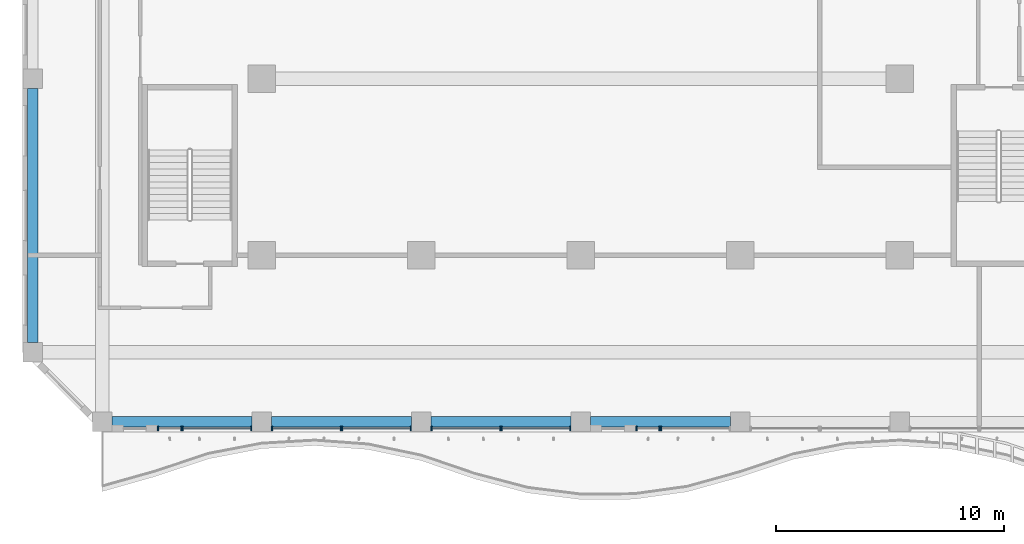
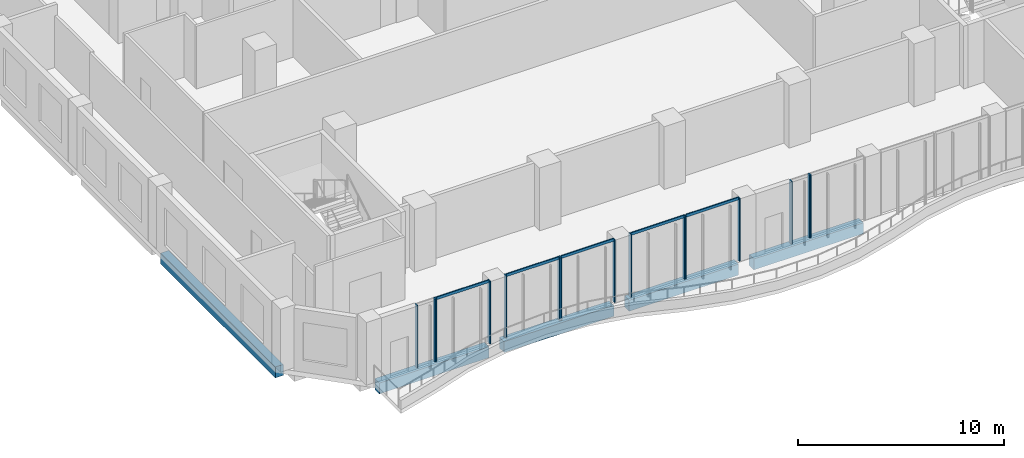
# One storey, part 2 of 27: 20 members, 5 beams, 8 elements without a shape of their own.
"""IFC4 building model written with IfcOpenShell, lengths in metres."""

from ifc_helpers import new_model, si_unit, direction, frame, origin, origin_2d, place, context, subcontext, project, spatial, rectangle, extrude, source, transform, mapped, material, material_profile, profile_set, type_object, element, aggregate, save


model = new_model("IFC4")

# Units and contexts
model_context = context("Model", 3, precision=1e-05, world=origin(), true_north=direction((0.0, 1.0)))
body_context = subcontext(model_context, "Body", "Model", "MODEL_VIEW")
ifc_project = project(units=[si_unit("LENGTHUNIT", "METRE"), si_unit("AREAUNIT", "SQUARE_METRE"), si_unit("VOLUMEUNIT", "CUBIC_METRE"), si_unit("PLANEANGLEUNIT", "RADIAN"), si_unit("MASSUNIT", "GRAM", prefix="KILO")], contexts=[model_context])

# Site, building, storey
site_placement = place(None, origin())
site = spatial("IfcSite", under=ifc_project, at=site_placement, CompositionType="ELEMENT")
building_placement = place(site_placement, origin())
building = spatial("IfcBuilding", under=site, at=building_placement, Name="Kilnfold Tower and Market Hall", CompositionType="ELEMENT")
storey_placement = place(building_placement, frame((0.0, 0.0, 116.60009765625)))
storey = spatial("IfcBuildingStorey", under=building, at=storey_placement, Name="L27", CompositionType="ELEMENT", Elevation=116.60009765625)

# Beams
ifc_material_1 = material(Name="Concrete C45", Category="concrete")
ifc_material_profile_1 = material_profile(ifc_material_1, rectangle(XDim=0.449951171875, YDim=0.64990234375, at=origin_2d()), Name="RC 450x650")
ifc_profile_set_1 = profile_set([ifc_material_profile_1], Name="Concrete C45")
beam_type = type_object("IfcBeamType", Name="EDGE BEAM 450X650 C45", PredefinedType="BEAM", material=ifc_profile_set_1)
shared_shape_1 = source(origin(), body_context, "Body", "SweptSolid", [
    extrude(rectangle(XDim=0.449951171875, YDim=0.64990234375, at=origin_2d()), origin(), (0.0, 0.0, 1.0), 6.14990234375),
])
for number, where, z_axis, x_axis, name in (
    (1, (-19.074951171875, -22.550048828125, -0.60498046875), (1.0, 0.0, 0.0), (0.0, 1.0, 0.0), "Beam EB650-B3.52"),
    (2, (-12.074951171875, -22.550048828125, -0.60498046875), (1.0, 0.0, 0.0), (0.0, 1.0, 0.0), "Beam EB650-B3.53"),
    (3, (-5.074951171875, -22.550048828125, -0.60498046875), (1.0, 0.0, 0.0), (0.0, 1.0, 0.0), "Beam EB650-B3.54"),
    (4, (1.925048828125, -22.550048828125, -0.60498046875), (1.0, 0.0, 0.0), (0.0, 1.0, 0.0), "Beam EB650-B3.55"),
):
    element("IfcBeam", number, at=place(storey_placement, frame(where, z_axis=z_axis, x_axis=x_axis)), inside=storey, type_object=beam_type, Name=name, PredefinedType="BEAM", context=body_context, shape_type="MappedRepresentation", body=[
        mapped(shared_shape_1, transform((0.0, 0.0, 0.0))),
    ])
shared_shape_2 = source(origin(), body_context, "Body", "SweptSolid", [
    extrude(rectangle(XDim=0.449951171875, YDim=0.64990234375, at=origin_2d()), origin(), (0.0, 0.0, 1.0), 11.14990234375),
])
beam_placement = place(storey_placement, frame((-22.550048828125, -19.074951171875, -0.60498046875), z_axis=(0.0, 1.0, 0.0), x_axis=(-1.0, 0.0, 0.0)))
element("IfcBeam", 5, at=beam_placement, inside=storey, type_object=beam_type, Name="Beam EB650-B3.74", PredefinedType="BEAM", context=body_context, shape_type="MappedRepresentation", body=[
    mapped(shared_shape_2, transform((0.0, 0.0, 0.0))),
])

# Curtain wall, members
ifc_material_2 = material(Name="Aluminium and double glazing", Category="aluminium")
curtain_wall_type = type_object("IfcCurtainWallType", Name="CW OF2 VALLEY GLAZING", PredefinedType="NOTDEFINED", material=ifc_material_2)
curtain_wall_1_placement = place(storey_placement, origin())
curtain_wall_1 = element("IfcCurtainWall", 6, at=curtain_wall_1_placement, inside=storey, type_object=curtain_wall_type, Name="Curtain wall CW2 L27 S", PredefinedType="NOTDEFINED")
ifc_material_3 = material(Name="Aluminium", Category="aluminium")
ifc_material_profile_2 = material_profile(ifc_material_3, rectangle(XDim=0.06005859375, YDim=0.199951171875, at=origin_2d()), Name="MULLION 60x200")
ifc_profile_set_2 = profile_set([ifc_material_profile_2], Name="Aluminium")
member_type_1 = type_object("IfcMemberType", Name="MULLION 60X200", PredefinedType="MULLION", material=ifc_profile_set_2)
shared_shape_3 = source(origin(), body_context, "Body", "SweptSolid", [
    extrude(rectangle(XDim=0.06005859375, YDim=0.199951171875, at=origin_2d()), origin(), (0.0, 0.0, 1.0), 3.719970703125),
])
member_1_placement = place(storey_placement, frame((-17.044921875, -22.85009765625, 0.0), z_axis=(0.0, 0.0, 1.0), x_axis=(1.0, 0.0, 0.0)))
member_1 = element("IfcMember", 7, at=member_1_placement, type_object=member_type_1, Name="CW2 mullion 1", PredefinedType="MULLION", context=body_context, shape_type="MappedRepresentation", body=[
    mapped(shared_shape_3, transform((0.0, 0.0, 0.0))),
])
member_2_placement = place(storey_placement, frame((-16.030029296875, -22.85009765625, 0.0), z_axis=(0.0, 0.0, 1.0), x_axis=(1.0, 0.0, 0.0)))
member_2 = element("IfcMember", 8, at=member_2_placement, type_object=member_type_1, Name="CW2 mullion 2", PredefinedType="MULLION", context=body_context, shape_type="MappedRepresentation", body=[
    mapped(shared_shape_3, transform((0.0, 0.0, 0.0))),
])
aggregate(curtain_wall_1, [member_1, member_2])

curtain_wall_2_placement = place(storey_placement, origin())
curtain_wall_2 = element("IfcCurtainWall", 9, at=curtain_wall_2_placement, inside=storey, type_object=curtain_wall_type, Name="Curtain wall CW2 L27 S", PredefinedType="NOTDEFINED")
member_3_placement = place(storey_placement, frame((-15.969970703125, -22.85009765625, 0.0), z_axis=(0.0, 0.0, 1.0), x_axis=(1.0, 0.0, 0.0)))
member_3 = element("IfcMember", 10, at=member_3_placement, type_object=member_type_1, Name="CW2 mullion 1", PredefinedType="MULLION", context=body_context, shape_type="MappedRepresentation", body=[
    mapped(shared_shape_3, transform((0.0, 0.0, 0.0))),
])
member_4_placement = place(storey_placement, frame((-12.955078125, -22.85009765625, 0.0), z_axis=(0.0, 0.0, 1.0), x_axis=(1.0, 0.0, 0.0)))
member_4 = element("IfcMember", 11, at=member_4_placement, type_object=member_type_1, Name="CW2 mullion 2", PredefinedType="MULLION", context=body_context, shape_type="MappedRepresentation", body=[
    mapped(shared_shape_3, transform((0.0, 0.0, 0.0))),
])

curtain_wall_3_placement = place(storey_placement, origin())
curtain_wall_3 = element("IfcCurtainWall", 12, at=curtain_wall_3_placement, inside=storey, type_object=curtain_wall_type, Name="Curtain wall CW2 L27 S", PredefinedType="NOTDEFINED")
member_5_placement = place(storey_placement, frame((-12.044921875, -22.85009765625, 0.0), z_axis=(0.0, 0.0, 1.0), x_axis=(1.0, 0.0, 0.0)))
member_5 = element("IfcMember", 13, at=member_5_placement, type_object=member_type_1, Name="CW2 mullion 1", PredefinedType="MULLION", context=body_context, shape_type="MappedRepresentation", body=[
    mapped(shared_shape_3, transform((0.0, 0.0, 0.0))),
])
member_6_placement = place(storey_placement, frame((-9.030029296875, -22.85009765625, 0.0), z_axis=(0.0, 0.0, 1.0), x_axis=(1.0, 0.0, 0.0)))
member_6 = element("IfcMember", 14, at=member_6_placement, type_object=member_type_1, Name="CW2 mullion 2", PredefinedType="MULLION", context=body_context, shape_type="MappedRepresentation", body=[
    mapped(shared_shape_3, transform((0.0, 0.0, 0.0))),
])

curtain_wall_4_placement = place(storey_placement, origin())
curtain_wall_4 = element("IfcCurtainWall", 15, at=curtain_wall_4_placement, inside=storey, type_object=curtain_wall_type, Name="Curtain wall CW2 L27 S", PredefinedType="NOTDEFINED")
member_7_placement = place(storey_placement, frame((-8.969970703125, -22.85009765625, 0.0), z_axis=(0.0, 0.0, 1.0), x_axis=(1.0, 0.0, 0.0)))
member_7 = element("IfcMember", 16, at=member_7_placement, type_object=member_type_1, Name="CW2 mullion 1", PredefinedType="MULLION", context=body_context, shape_type="MappedRepresentation", body=[
    mapped(shared_shape_3, transform((0.0, 0.0, 0.0))),
])
member_8_placement = place(storey_placement, frame((-5.955078125, -22.85009765625, 0.0), z_axis=(0.0, 0.0, 1.0), x_axis=(1.0, 0.0, 0.0)))
member_8 = element("IfcMember", 17, at=member_8_placement, type_object=member_type_1, Name="CW2 mullion 2", PredefinedType="MULLION", context=body_context, shape_type="MappedRepresentation", body=[
    mapped(shared_shape_3, transform((0.0, 0.0, 0.0))),
])

curtain_wall_5_placement = place(storey_placement, origin())
curtain_wall_5 = element("IfcCurtainWall", 18, at=curtain_wall_5_placement, inside=storey, type_object=curtain_wall_type, Name="Curtain wall CW2 L27 S", PredefinedType="NOTDEFINED")
member_9_placement = place(storey_placement, frame((-5.044921875, -22.85009765625, 0.0), z_axis=(0.0, 0.0, 1.0), x_axis=(1.0, 0.0, 0.0)))
member_9 = element("IfcMember", 19, at=member_9_placement, type_object=member_type_1, Name="CW2 mullion 1", PredefinedType="MULLION", context=body_context, shape_type="MappedRepresentation", body=[
    mapped(shared_shape_3, transform((0.0, 0.0, 0.0))),
])
member_10_placement = place(storey_placement, frame((-2.030029296875, -22.85009765625, 0.0), z_axis=(0.0, 0.0, 1.0), x_axis=(1.0, 0.0, 0.0)))
member_10 = element("IfcMember", 20, at=member_10_placement, type_object=member_type_1, Name="CW2 mullion 2", PredefinedType="MULLION", context=body_context, shape_type="MappedRepresentation", body=[
    mapped(shared_shape_3, transform((0.0, 0.0, 0.0))),
])

curtain_wall_6_placement = place(storey_placement, origin())
curtain_wall_6 = element("IfcCurtainWall", 21, at=curtain_wall_6_placement, inside=storey, type_object=curtain_wall_type, Name="Curtain wall CW2 L27 S", PredefinedType="NOTDEFINED")
member_11_placement = place(storey_placement, frame((-1.969970703125, -22.85009765625, 0.0), z_axis=(0.0, 0.0, 1.0), x_axis=(1.0, 0.0, 0.0)))
member_11 = element("IfcMember", 22, at=member_11_placement, type_object=member_type_1, Name="CW2 mullion 1", PredefinedType="MULLION", context=body_context, shape_type="MappedRepresentation", body=[
    mapped(shared_shape_3, transform((0.0, 0.0, 0.0))),
])
member_12_placement = place(storey_placement, frame((1.044921875, -22.85009765625, 0.0), z_axis=(0.0, 0.0, 1.0), x_axis=(1.0, 0.0, 0.0)))
member_12 = element("IfcMember", 23, at=member_12_placement, type_object=member_type_1, Name="CW2 mullion 2", PredefinedType="MULLION", context=body_context, shape_type="MappedRepresentation", body=[
    mapped(shared_shape_3, transform((0.0, 0.0, 0.0))),
])

curtain_wall_7_placement = place(storey_placement, origin())
curtain_wall_7 = element("IfcCurtainWall", 24, at=curtain_wall_7_placement, inside=storey, type_object=curtain_wall_type, Name="Curtain wall CW2 L27 S", PredefinedType="NOTDEFINED")
member_13_placement = place(storey_placement, frame((3.955078125, -22.85009765625, 0.0), z_axis=(0.0, 0.0, 1.0), x_axis=(1.0, 0.0, 0.0)))
member_13 = element("IfcMember", 25, at=member_13_placement, type_object=member_type_1, Name="CW2 mullion 1", PredefinedType="MULLION", context=body_context, shape_type="MappedRepresentation", body=[
    mapped(shared_shape_3, transform((0.0, 0.0, 0.0))),
])
member_14_placement = place(storey_placement, frame((4.969970703125, -22.85009765625, 0.0), z_axis=(0.0, 0.0, 1.0), x_axis=(1.0, 0.0, 0.0)))
member_14 = element("IfcMember", 26, at=member_14_placement, type_object=member_type_1, Name="CW2 mullion 2", PredefinedType="MULLION", context=body_context, shape_type="MappedRepresentation", body=[
    mapped(shared_shape_3, transform((0.0, 0.0, 0.0))),
])
aggregate(curtain_wall_7, [member_13, member_14])

# Curtain wall, member
curtain_wall_8_placement = place(storey_placement, origin())
curtain_wall_8 = element("IfcCurtainWall", 27, at=curtain_wall_8_placement, inside=storey, type_object=curtain_wall_type, Name="Curtain wall CW2 L27 S", PredefinedType="NOTDEFINED")
member_15_placement = place(storey_placement, frame((5.030029296875, -22.85009765625, 0.0), z_axis=(0.0, 0.0, 1.0), x_axis=(1.0, 0.0, 0.0)))
member_15 = element("IfcMember", 28, at=member_15_placement, type_object=member_type_1, Name="CW2 mullion 1", PredefinedType="MULLION", context=body_context, shape_type="MappedRepresentation", body=[
    mapped(shared_shape_3, transform((0.0, 0.0, 0.0))),
])
aggregate(curtain_wall_8, [member_15])

# Member
ifc_material_4 = material(Name="Aluminium", Category="aluminium")
ifc_material_profile_3 = material_profile(ifc_material_4, rectangle(XDim=0.06005859375, YDim=0.159912109375, at=origin_2d()), Name="TRANSOM 60x160")
ifc_profile_set_3 = profile_set([ifc_material_profile_3], Name="Aluminium")
member_type_2 = type_object("IfcMemberType", Name="TRANSOM 60X160", PredefinedType="USERDEFINED", material=ifc_profile_set_3)
shared_shape_4 = source(origin(), body_context, "Body", "SweptSolid", [
    extrude(rectangle(XDim=0.06005859375, YDim=0.159912109375, at=origin_2d()), origin(), (0.0, 0.0, 1.0), 2.954833984375),
])
member_16_placement = place(storey_placement, frame((-15.93994140625, -22.85009765625, 3.68994140625), z_axis=(1.0, 0.0, 0.0), x_axis=(0.0, 1.0, 0.0)))
member_16 = element("IfcMember", 29, at=member_16_placement, type_object=member_type_2, Name="CW2 transom 1.2", ObjectType="TRANSOM", PredefinedType="USERDEFINED", context=body_context, shape_type="MappedRepresentation", body=[
    mapped(shared_shape_4, transform((0.0, 0.0, 0.0))),
])

aggregate(curtain_wall_2, [member_3, member_4, member_16])

member_17_placement = place(storey_placement, frame((-12.014892578125, -22.85009765625, 3.68994140625), z_axis=(1.0, 0.0, 0.0), x_axis=(0.0, 1.0, 0.0)))
member_17 = element("IfcMember", 30, at=member_17_placement, type_object=member_type_2, Name="CW2 transom 1.2", ObjectType="TRANSOM", PredefinedType="USERDEFINED", context=body_context, shape_type="MappedRepresentation", body=[
    mapped(shared_shape_4, transform((0.0, 0.0, 0.0))),
])

aggregate(curtain_wall_3, [member_5, member_6, member_17])

member_18_placement = place(storey_placement, frame((-8.93994140625, -22.85009765625, 3.68994140625), z_axis=(1.0, 0.0, 0.0), x_axis=(0.0, 1.0, 0.0)))
member_18 = element("IfcMember", 31, at=member_18_placement, type_object=member_type_2, Name="CW2 transom 1.2", ObjectType="TRANSOM", PredefinedType="USERDEFINED", context=body_context, shape_type="MappedRepresentation", body=[
    mapped(shared_shape_4, transform((0.0, 0.0, 0.0))),
])

aggregate(curtain_wall_4, [member_7, member_8, member_18])

member_19_placement = place(storey_placement, frame((-5.014892578125, -22.85009765625, 3.68994140625), z_axis=(1.0, 0.0, 0.0), x_axis=(0.0, 1.0, 0.0)))
member_19 = element("IfcMember", 32, at=member_19_placement, type_object=member_type_2, Name="CW2 transom 1.2", ObjectType="TRANSOM", PredefinedType="USERDEFINED", context=body_context, shape_type="MappedRepresentation", body=[
    mapped(shared_shape_4, transform((0.0, 0.0, 0.0))),
])

aggregate(curtain_wall_5, [member_9, member_10, member_19])

member_20_placement = place(storey_placement, frame((-1.93994140625, -22.85009765625, 3.68994140625), z_axis=(1.0, 0.0, 0.0), x_axis=(0.0, 1.0, 0.0)))
member_20 = element("IfcMember", 33, at=member_20_placement, type_object=member_type_2, Name="CW2 transom 1.2", ObjectType="TRANSOM", PredefinedType="USERDEFINED", context=body_context, shape_type="MappedRepresentation", body=[
    mapped(shared_shape_4, transform((0.0, 0.0, 0.0))),
])

aggregate(curtain_wall_6, [member_11, member_12, member_20])

save(model, "model.ifc")
